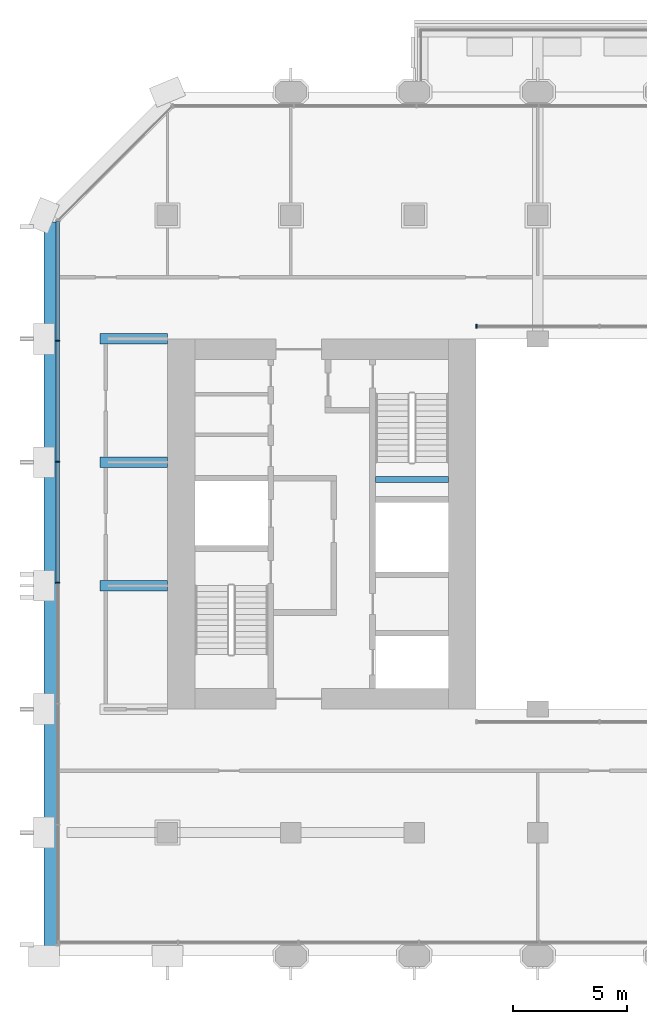
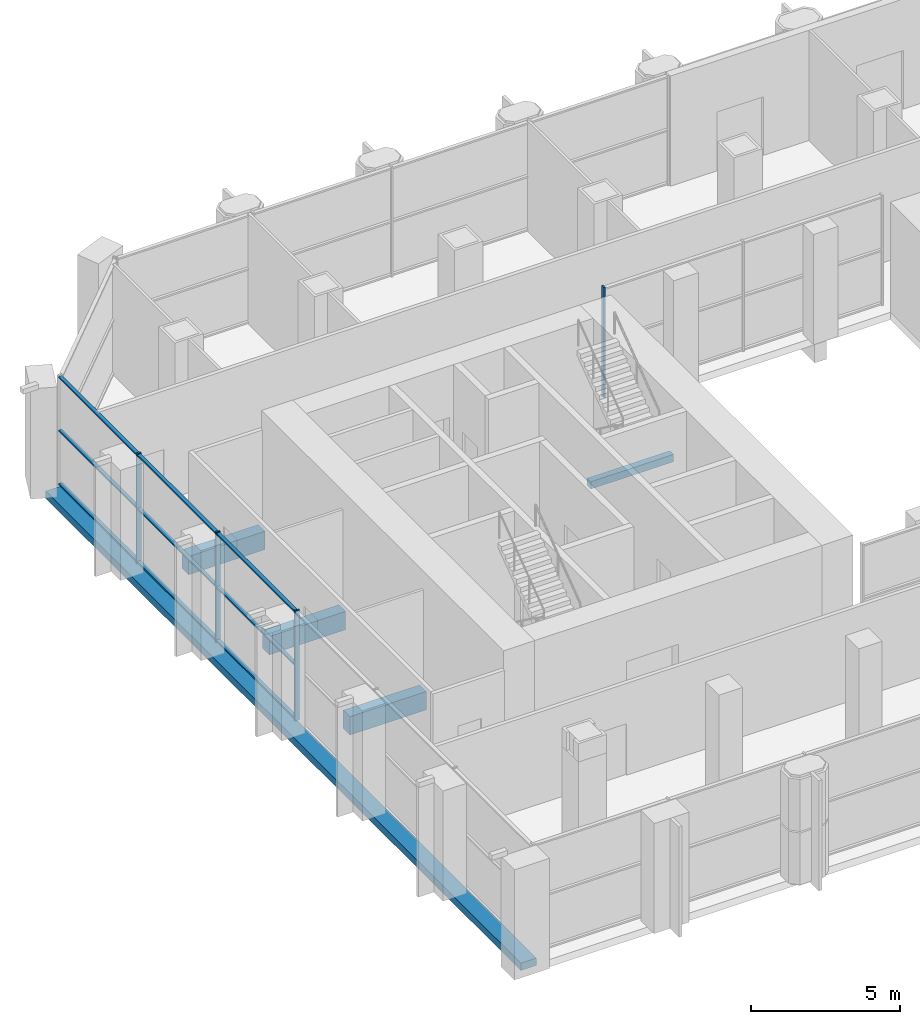
# One storey, part 4 of 15: 13 members, 5 beams, 2 elements without a shape of their own.
"""IFC4 building model written with IfcOpenShell, lengths in metres."""

from ifc_helpers import new_model, si_unit, direction, frame, origin, origin_2d, place, context, subcontext, project, spatial, rectangle, extrude, material, material_profile, profile_set, type_object, element, aggregate, save


model = new_model("IFC4")

# Units and contexts
model_context = context("Model", 3, precision=1e-05, world=origin(), true_north=direction((0.0, 1.0)))
body_context = subcontext(model_context, "Body", "Model", "MODEL_VIEW")
ifc_project = project(units=[si_unit("LENGTHUNIT", "METRE"), si_unit("AREAUNIT", "SQUARE_METRE"), si_unit("VOLUMEUNIT", "CUBIC_METRE"), si_unit("PLANEANGLEUNIT", "RADIAN"), si_unit("MASSUNIT", "GRAM", prefix="KILO")], contexts=[model_context])

# Site, building, storey
site_placement = place(None, origin())
site = spatial("IfcSite", under=ifc_project, at=site_placement, CompositionType="ELEMENT")
building_placement = place(site_placement, origin())
building = spatial("IfcBuilding", under=site, at=building_placement, Name="Tabaq Tower and Sports Hall", CompositionType="ELEMENT")
storey_placement = place(building_placement, frame((0.0, 0.0, 148.0)))
storey = spatial("IfcBuildingStorey", under=building, at=storey_placement, Name="L34", CompositionType="ELEMENT", Elevation=148.0)

# Curtain wall, member
ifc_material_1 = material(Name="Aluminium alloy 6063-T6 framed glazing", Category="aluminium")
curtain_wall_type_1 = type_object("IfcCurtainWallType", Name="CW1 curtain wall", PredefinedType="USERDEFINED", material=ifc_material_1)
curtain_wall_1_placement = place(storey_placement, origin())
curtain_wall_1 = element("IfcCurtainWall", 1, at=curtain_wall_1_placement, inside=storey, type_object=curtain_wall_type_1, Name="Atrium glazing L34 N", ObjectType="ATRIUM ENCLOSURE", PredefinedType="USERDEFINED")
ifc_material_2 = material(Name="Aluminium alloy 6063-T6", Category="aluminium")
ifc_material_profile_1 = material_profile(ifc_material_2, rectangle(XDim=0.159912109375, YDim=0.06005859375, at=origin_2d()), Name="MULLION 160x60")
ifc_profile_set_1 = profile_set([ifc_material_profile_1], Name="Aluminium alloy 6063-T6")
member_type_1 = type_object("IfcMemberType", Name="CW1 mullion 160x60", PredefinedType="MULLION", material=ifc_profile_set_1)
member_1_placement = place(storey_placement, frame((18.929931640625, 32.949951171875, 0.0), z_axis=(0.0, 0.0, 1.0), x_axis=(0.0, 1.0, 0.0)))
member_1 = element("IfcMember", 2, at=member_1_placement, type_object=member_type_1, Name="CW1 mullion 1", PredefinedType="MULLION", context=body_context, shape_type="SweptSolid", body=[
    extrude(rectangle(XDim=0.159912109375, YDim=0.06005859375, at=origin_2d()), origin(), (0.0, 0.0, 1.0), 4.5),
])
aggregate(curtain_wall_1, [member_1])

# Curtain wall, members
ifc_material_3 = material(Name="Aluminium alloy 6063-T6 framed glazing", Category="aluminium")
curtain_wall_type_2 = type_object("IfcCurtainWallType", Name="CW3 curtain wall", PredefinedType="USERDEFINED", material=ifc_material_3)
curtain_wall_2_placement = place(storey_placement, origin())
curtain_wall_2 = element("IfcCurtainWall", 3, at=curtain_wall_2_placement, inside=storey, type_object=curtain_wall_type_2, Name="Garden Floor Wall L34 W", ObjectType="GARDEN FLOOR WALL", PredefinedType="USERDEFINED")
ifc_material_4 = material(Name="Aluminium alloy 6063-T6", Category="aluminium")
ifc_material_profile_2 = material_profile(ifc_material_4, rectangle(XDim=0.179931640625, YDim=0.06005859375, at=origin_2d()), Name="MULLION 180x60")
ifc_profile_set_2 = profile_set([ifc_material_profile_2], Name="Aluminium alloy 6063-T6")
member_type_2 = type_object("IfcMemberType", Name="CW3 mullion 180x60", PredefinedType="MULLION", material=ifc_profile_set_2)
member_2_placement = place(storey_placement, frame((0.60009765625, 32.319580078125, 0.0), z_axis=(0.0, 0.0, 1.0), x_axis=(1.0, 0.0, 0.0)))
member_2 = element("IfcMember", 4, at=member_2_placement, type_object=member_type_2, Name="CW3 mullion 2", PredefinedType="MULLION", context=body_context, shape_type="SweptSolid", body=[
    extrude(rectangle(XDim=0.179931640625, YDim=0.06005859375, at=origin_2d()), origin(), (0.0, 0.0, 1.0), 4.5),
])
member_3_placement = place(storey_placement, frame((0.60009765625, 27.025634765625, 0.0), z_axis=(0.0, 0.0, 1.0), x_axis=(1.0, 0.0, 0.0)))
member_3 = element("IfcMember", 5, at=member_3_placement, type_object=member_type_2, Name="CW3 mullion 3", PredefinedType="MULLION", context=body_context, shape_type="SweptSolid", body=[
    extrude(rectangle(XDim=0.179931640625, YDim=0.06005859375, at=origin_2d()), origin(), (0.0, 0.0, 1.0), 4.5),
])
member_4_placement = place(storey_placement, frame((0.60009765625, 21.731689453125, 0.0), z_axis=(0.0, 0.0, 1.0), x_axis=(1.0, 0.0, 0.0)))
member_4 = element("IfcMember", 6, at=member_4_placement, type_object=member_type_2, Name="CW3 mullion 4", PredefinedType="MULLION", context=body_context, shape_type="SweptSolid", body=[
    extrude(rectangle(XDim=0.179931640625, YDim=0.06005859375, at=origin_2d()), origin(), (0.0, 0.0, 1.0), 4.5),
])
ifc_material_5 = material(Name="Aluminium alloy 6063-T6", Category="aluminium")
ifc_material_profile_3 = material_profile(ifc_material_5, rectangle(XDim=0.139892578125, YDim=0.06005859375, at=origin_2d()), Name="TRANSOM 140x60")
ifc_profile_set_3 = profile_set([ifc_material_profile_3], Name="Aluminium alloy 6063-T6")
member_type_3 = type_object("IfcMemberType", Name="CW3 transom 140x60", PredefinedType="USERDEFINED", material=ifc_profile_set_3)
member_5_placement = place(storey_placement, frame((0.60009765625, 37.5537109375, 0.070068359375), z_axis=(0.0, -1.0, 0.0), x_axis=(1.0, 0.0, 0.0)))
member_5 = element("IfcMember", 7, at=member_5_placement, type_object=member_type_3, Name="CW3 transom 1.1", ObjectType="TRANSOM", PredefinedType="USERDEFINED", context=body_context, shape_type="SweptSolid", body=[
    extrude(rectangle(XDim=0.139892578125, YDim=0.06005859375, at=origin_2d()), origin(), (0.0, 0.0, 1.0), 5.2041015625),
])
member_6_placement = place(storey_placement, frame((0.60009765625, 37.5537109375, 2.25), z_axis=(0.0, -1.0, 0.0), x_axis=(1.0, 0.0, 0.0)))
member_6 = element("IfcMember", 8, at=member_6_placement, type_object=member_type_3, Name="CW3 transom 1.2", ObjectType="TRANSOM", PredefinedType="USERDEFINED", context=body_context, shape_type="SweptSolid", body=[
    extrude(rectangle(XDim=0.139892578125, YDim=0.06005859375, at=origin_2d()), origin(), (0.0, 0.0, 1.0), 5.2041015625),
])
member_7_placement = place(storey_placement, frame((0.60009765625, 37.5537109375, 4.429931640625), z_axis=(0.0, -1.0, 0.0), x_axis=(1.0, 0.0, 0.0)))
member_7 = element("IfcMember", 9, at=member_7_placement, type_object=member_type_3, Name="CW3 transom 1.3", ObjectType="TRANSOM", PredefinedType="USERDEFINED", context=body_context, shape_type="SweptSolid", body=[
    extrude(rectangle(XDim=0.139892578125, YDim=0.06005859375, at=origin_2d()), origin(), (0.0, 0.0, 1.0), 5.2041015625),
])
member_8_placement = place(storey_placement, frame((0.60009765625, 32.28955078125, 0.070068359375), z_axis=(0.0, -1.0, 0.0), x_axis=(1.0, 0.0, 0.0)))
member_8 = element("IfcMember", 10, at=member_8_placement, type_object=member_type_3, Name="CW3 transom 2.1", ObjectType="TRANSOM", PredefinedType="USERDEFINED", context=body_context, shape_type="SweptSolid", body=[
    extrude(rectangle(XDim=0.139892578125, YDim=0.06005859375, at=origin_2d()), origin(), (0.0, 0.0, 1.0), 5.23388671875),
])
member_9_placement = place(storey_placement, frame((0.60009765625, 32.28955078125, 2.25), z_axis=(0.0, -1.0, 0.0), x_axis=(1.0, 0.0, 0.0)))
member_9 = element("IfcMember", 11, at=member_9_placement, type_object=member_type_3, Name="CW3 transom 2.2", ObjectType="TRANSOM", PredefinedType="USERDEFINED", context=body_context, shape_type="SweptSolid", body=[
    extrude(rectangle(XDim=0.139892578125, YDim=0.06005859375, at=origin_2d()), origin(), (0.0, 0.0, 1.0), 5.23388671875),
])
member_10_placement = place(storey_placement, frame((0.60009765625, 32.28955078125, 4.429931640625), z_axis=(0.0, -1.0, 0.0), x_axis=(1.0, 0.0, 0.0)))
member_10 = element("IfcMember", 12, at=member_10_placement, type_object=member_type_3, Name="CW3 transom 2.3", ObjectType="TRANSOM", PredefinedType="USERDEFINED", context=body_context, shape_type="SweptSolid", body=[
    extrude(rectangle(XDim=0.139892578125, YDim=0.06005859375, at=origin_2d()), origin(), (0.0, 0.0, 1.0), 5.23388671875),
])
member_11_placement = place(storey_placement, frame((0.60009765625, 26.995849609375, 0.070068359375), z_axis=(0.0, -1.0, 0.0), x_axis=(1.0, 0.0, 0.0)))
member_11 = element("IfcMember", 13, at=member_11_placement, type_object=member_type_3, Name="CW3 transom 3.1", ObjectType="TRANSOM", PredefinedType="USERDEFINED", context=body_context, shape_type="SweptSolid", body=[
    extrude(rectangle(XDim=0.139892578125, YDim=0.06005859375, at=origin_2d()), origin(), (0.0, 0.0, 1.0), 5.234130859375),
])
member_12_placement = place(storey_placement, frame((0.60009765625, 26.995849609375, 2.25), z_axis=(0.0, -1.0, 0.0), x_axis=(1.0, 0.0, 0.0)))
member_12 = element("IfcMember", 14, at=member_12_placement, type_object=member_type_3, Name="CW3 transom 3.2", ObjectType="TRANSOM", PredefinedType="USERDEFINED", context=body_context, shape_type="SweptSolid", body=[
    extrude(rectangle(XDim=0.139892578125, YDim=0.06005859375, at=origin_2d()), origin(), (0.0, 0.0, 1.0), 5.234130859375),
])
member_13_placement = place(storey_placement, frame((0.60009765625, 26.995849609375, 4.429931640625), z_axis=(0.0, -1.0, 0.0), x_axis=(1.0, 0.0, 0.0)))
member_13 = element("IfcMember", 15, at=member_13_placement, type_object=member_type_3, Name="CW3 transom 3.3", ObjectType="TRANSOM", PredefinedType="USERDEFINED", context=body_context, shape_type="SweptSolid", body=[
    extrude(rectangle(XDim=0.139892578125, YDim=0.06005859375, at=origin_2d()), origin(), (0.0, 0.0, 1.0), 5.234130859375),
])
aggregate(curtain_wall_2, [member_2, member_3, member_4, member_5, member_6, member_7, member_8, member_9, member_10, member_11, member_12, member_13])

# Beams
ifc_material_6 = material(Name="Concrete C40/50", Category="concrete")
ifc_material_profile_4 = material_profile(ifc_material_6, rectangle(XDim=0.449951171875, YDim=0.75, at=origin_2d()), Name="CB 450x750")
ifc_profile_set_4 = profile_set([ifc_material_profile_4], Name="Concrete C40/50")
beam_type_1 = type_object("IfcBeamType", Name="PT CANTILEVER BEAM CB 450x750 C40/50", PredefinedType="BEAM", material=ifc_profile_set_4)
for number, where, z_axis, x_axis, name in (
    (16, (2.449951171875, 21.60009765625, -0.675048828125), (1.0, 0.0, 0.0), (0.0, 1.0, 0.0), "Cantilever Beam L34 W4 span 1"),
    (17, (2.449951171875, 27.0, -0.675048828125), (1.0, 0.0, 0.0), (0.0, 1.0, 0.0), "Cantilever Beam L34 W5 span 1"),
    (18, (2.449951171875, 32.39990234375, -0.675048828125), (1.0, 0.0, 0.0), (0.0, 1.0, 0.0), "Cantilever Beam L34 W6 span 1"),
):
    element("IfcBeam", number, at=place(storey_placement, frame(where, z_axis=z_axis, x_axis=x_axis)), inside=storey, type_object=beam_type_1, Name=name, PredefinedType="BEAM", context=body_context, shape_type="SweptSolid", body=[
        extrude(rectangle(XDim=0.449951171875, YDim=0.75, at=origin_2d()), origin(), (0.0, 0.0, 1.0), 2.949951171875),
    ])
ifc_material_7 = material(Name="Concrete C40/50", Category="concrete")
ifc_material_profile_5 = material_profile(ifc_material_7, rectangle(XDim=0.60009765625, YDim=0.300048828125, at=origin_2d()), Name="EB 600x300")
ifc_profile_set_5 = profile_set([ifc_material_profile_5], Name="Concrete C40/50")
beam_type_2 = type_object("IfcBeamType", Name="PT EDGE BEAM EB 600x300 C40/50", PredefinedType="SPANDREL", material=ifc_profile_set_5)
beam_1_placement = place(storey_placement, frame((0.300048828125, 37.50146484375, -0.14990234375), z_axis=(0.0, -1.0, 0.0), x_axis=(1.0, 0.0, 0.0)))
element("IfcBeam", 19, at=beam_1_placement, inside=storey, type_object=beam_type_2, Name="Edge Beam L34 1", PredefinedType="SPANDREL", context=body_context, shape_type="SweptSolid", body=[
    extrude(rectangle(XDim=0.60009765625, YDim=0.300048828125, at=origin_2d()), origin(), (0.0, 0.0, 1.0), 31.8115234375),
])
ifc_material_8 = material(Name="Concrete C40/50", Category="concrete")
ifc_material_profile_6 = material_profile(ifc_material_8, rectangle(XDim=0.25, YDim=0.300048828125, at=origin_2d()), Name="RC 250x300")
ifc_profile_set_6 = profile_set([ifc_material_profile_6], Name="Concrete C40/50")
beam_type_3 = type_object("IfcBeamType", Name="Stair landing beam 250x300", PredefinedType="BEAM", material=ifc_profile_set_6)
beam_2_placement = place(storey_placement, frame((14.5, 26.25, 2.050048828125), z_axis=(1.0, 0.0, 0.0), x_axis=(0.0, 1.0, 0.0)))
element("IfcBeam", 20, at=beam_2_placement, inside=storey, type_object=beam_type_3, Name="L34 ST2 landing beam 1", PredefinedType="BEAM", context=body_context, shape_type="SweptSolid", body=[
    extrude(rectangle(XDim=0.25, YDim=0.300048828125, at=origin_2d()), origin(), (0.0, 0.0, 1.0), 3.199951171875),
])

save(model, "model.ifc")
